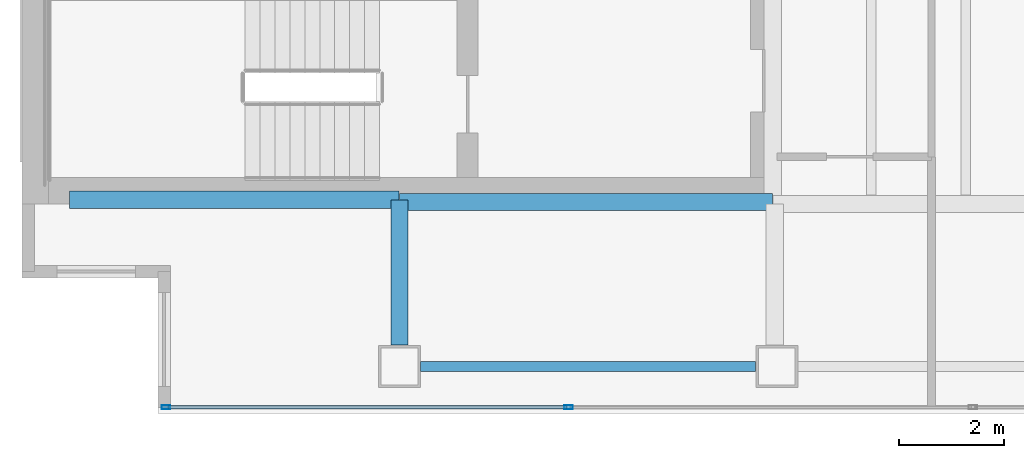
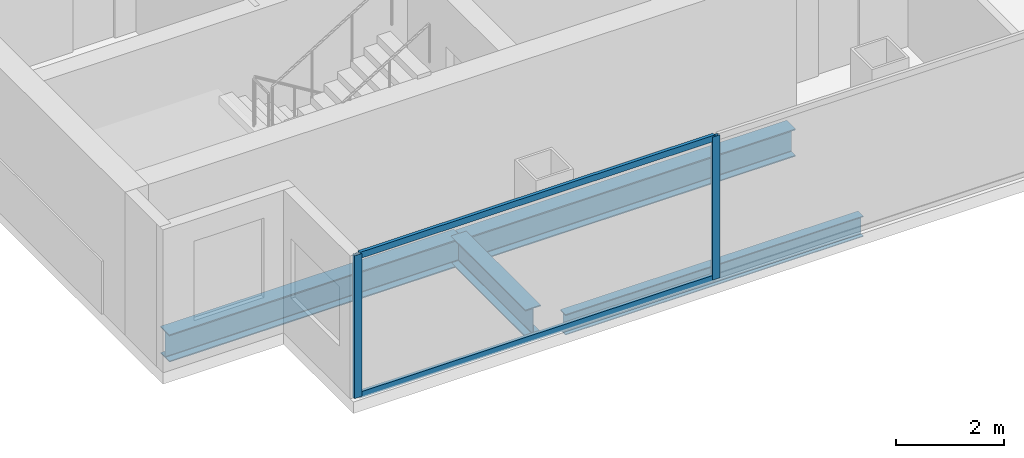
# One storey, part 2 of 23: 4 beams, 4 members, 1 element without a shape of its own.
"""IFC4 building model written with IfcOpenShell, lengths in metres."""

from ifc_helpers import new_model, si_unit, direction, frame, origin, origin_2d, place, context, subcontext, project, spatial, hollow_rectangle, i_section, extrude, material, material_profile, profile_set, type_object, element, aggregate, save


model = new_model("IFC4")

# Units and contexts
model_context = context("Model", 3, precision=1e-05, world=origin(), true_north=direction((0.0, 1.0)))
body_context = subcontext(model_context, "Body", "Model", "MODEL_VIEW")
ifc_project = project(units=[si_unit("LENGTHUNIT", "METRE"), si_unit("AREAUNIT", "SQUARE_METRE"), si_unit("VOLUMEUNIT", "CUBIC_METRE"), si_unit("PLANEANGLEUNIT", "RADIAN"), si_unit("MASSUNIT", "GRAM", prefix="KILO")], contexts=[model_context])

# Site, building, storey
site_placement = place(None, origin())
site = spatial("IfcSite", under=ifc_project, at=site_placement, CompositionType="ELEMENT")
building_placement = place(site_placement, origin())
building = spatial("IfcBuilding", under=site, at=building_placement, Name="Cobrela Telecom Tower", CompositionType="ELEMENT")
storey_placement = place(building_placement, frame((0.0, 0.0, 197.75)))
storey = spatial("IfcBuildingStorey", under=building, at=storey_placement, Name="L50", CompositionType="ELEMENT", Elevation=197.75)

# Beams
ifc_material_1 = material(Name="Steel ASTM A992 Grade 50", Category="steel")
ifc_material_profile_1 = material_profile(ifc_material_1, i_section(OverallWidth=0.327880859375, OverallDepth=0.6220703125, WebThickness=0.015380859375, FlangeThickness=0.0244140625, FilletRadius=0.014892578125, at=origin_2d()), Name="W24X131")
ifc_profile_set_1 = profile_set([ifc_material_profile_1], Name="Steel ASTM A992 Grade 50")
beam_type_1 = type_object("IfcBeamType", Name="BM-GIRD-06", PredefinedType="USERDEFINED", material=ifc_profile_set_1)
beam_1_placement = place(storey_placement, frame((0.905029296875, 7.280029296875, -0.571044921875), z_axis=(1.0, 0.0, 0.0), x_axis=(0.0, 1.0, 0.0)))
element("IfcBeam", 1, at=beam_1_placement, inside=storey, type_object=beam_type_1, Name="L50 Primary Girder X05", ObjectType="GIRDER", PredefinedType="USERDEFINED", context=body_context, shape_type="SweptSolid", body=[
    extrude(i_section(OverallWidth=0.327880859375, OverallDepth=0.6220703125, WebThickness=0.015380859375, FlangeThickness=0.0244140625, FilletRadius=0.014892578125, at=origin_2d()), origin(), (0.0, 0.0, 1.0), 6.2900390625),
])
beam_2_placement = place(storey_placement, frame((7.205078125, 7.239990234375, -0.571044921875), z_axis=(1.0, 0.0, 0.0), x_axis=(0.0, 1.0, 0.0)))
element("IfcBeam", 2, at=beam_2_placement, inside=storey, type_object=beam_type_1, Name="L50 Primary Girder X06", ObjectType="GIRDER", PredefinedType="USERDEFINED", context=body_context, shape_type="SweptSolid", body=[
    extrude(i_section(OverallWidth=0.327880859375, OverallDepth=0.6220703125, WebThickness=0.015380859375, FlangeThickness=0.0244140625, FilletRadius=0.014892578125, at=origin_2d()), origin(), (0.0, 0.0, 1.0), 7.10986328125),
])
beam_3_placement = place(storey_placement, frame((7.199951171875, 4.5048828125, -0.571044921875), z_axis=(0.0, 1.0, 0.0), x_axis=(-1.0, 0.0, 0.0)))
element("IfcBeam", 3, at=beam_3_placement, inside=storey, type_object=beam_type_1, Name="L50 Primary Girder Y24", ObjectType="GIRDER", PredefinedType="USERDEFINED", context=body_context, shape_type="SweptSolid", body=[
    extrude(i_section(OverallWidth=0.327880859375, OverallDepth=0.6220703125, WebThickness=0.015380859375, FlangeThickness=0.0244140625, FilletRadius=0.014892578125, at=origin_2d()), origin(), (0.0, 0.0, 1.0), 2.77001953125),
])
ifc_material_profile_2 = material_profile(ifc_material_1, i_section(OverallWidth=0.193115234375, OverallDepth=0.467041015625, WebThickness=0.011474609375, FlangeThickness=0.01904296875, FilletRadius=0.012939453125, at=origin_2d()), Name="W18X65")
ifc_profile_set_2 = profile_set([ifc_material_profile_2], Name="Steel ASTM A992 Grade 50")
beam_type_2 = type_object("IfcBeamType", Name="BM-SPAND-05", PredefinedType="SPANDREL", material=ifc_profile_set_2)
beam_4_placement = place(storey_placement, frame((7.60498046875, 4.10009765625, -0.493408203125), z_axis=(1.0, 0.0, 0.0), x_axis=(0.0, 1.0, 0.0)))
element("IfcBeam", 4, at=beam_4_placement, inside=storey, type_object=beam_type_2, Name="L50 Perimeter Spandrel X01", PredefinedType="SPANDREL", context=body_context, shape_type="SweptSolid", body=[
    extrude(i_section(OverallWidth=0.193115234375, OverallDepth=0.467041015625, WebThickness=0.011474609375, FlangeThickness=0.01904296875, FilletRadius=0.012939453125, at=origin_2d()), origin(), (0.0, 0.0, 1.0), 6.39013671875),
])

# Curtain wall, members
ifc_material_2 = material(Name="Anodized Bronze Aluminium 6063-T6", Category="aluminium")
curtain_wall_type = type_object("IfcCurtainWallType", Name="CW-SYS-OFF-LO", PredefinedType="USERDEFINED", material=ifc_material_2)
curtain_wall_placement = place(storey_placement, origin())
curtain_wall = element("IfcCurtainWall", 5, at=curtain_wall_placement, inside=storey, type_object=curtain_wall_type, Name="L50 Unitised Bronze Curtain Wall 17", ObjectType="UNITISED CURTAIN WALL", PredefinedType="USERDEFINED")
ifc_material_profile_3 = material_profile(ifc_material_2, hollow_rectangle(XDim=0.070068359375, YDim=0.159912109375, WallThickness=0.00390625, at=origin_2d()), Name="ALU 70x160x4")
ifc_profile_set_3 = profile_set([ifc_material_profile_3], Name="Anodized Bronze Aluminium 6063-T6")
member_type_1 = type_object("IfcMemberType", Name="CW-SYS-OFF-LO-MUL", PredefinedType="MULLION", material=ifc_profile_set_3)
member_1_placement = place(storey_placement, frame((10.426025390625, 3.320068359375, 0.0), z_axis=(0.0, 0.0, 1.0), x_axis=(0.0, -1.0, 0.0)))
member_1 = element("IfcMember", 6, at=member_1_placement, type_object=member_type_1, Name="CW-OFF-LO mullion 5", PredefinedType="MULLION", context=body_context, shape_type="SweptSolid", body=[
    extrude(hollow_rectangle(XDim=0.070068359375, YDim=0.159912109375, WallThickness=0.00390625, at=origin_2d()), origin(), (0.0, 0.0, 1.0), 3.239990234375),
])
member_2_placement = place(storey_placement, frame((2.7451171875, 3.320068359375, 0.0), z_axis=(0.0, 0.0, 1.0), x_axis=(0.0, -1.0, 0.0)))
member_2 = element("IfcMember", 7, at=member_2_placement, type_object=member_type_1, Name="CW-OFF-LO mullion 6", PredefinedType="MULLION", context=body_context, shape_type="SweptSolid", body=[
    extrude(hollow_rectangle(XDim=0.070068359375, YDim=0.159912109375, WallThickness=0.00390625, at=origin_2d()), origin(), (0.0, 0.0, 1.0), 3.239990234375),
])
ifc_material_profile_4 = material_profile(ifc_material_2, hollow_rectangle(XDim=0.070068359375, YDim=0.139892578125, WallThickness=0.00390625, at=origin_2d()), Name="ALU 70x140x4")
ifc_profile_set_4 = profile_set([ifc_material_profile_4], Name="Anodized Bronze Aluminium 6063-T6")
member_type_2 = type_object("IfcMemberType", Name="CW-SYS-OFF-LO-TRN", PredefinedType="USERDEFINED", material=ifc_profile_set_4)
member_3_placement = place(storey_placement, frame((10.39111328125, 3.320068359375, 0.034912109375), z_axis=(-1.0, 0.0, 0.0), x_axis=(0.0, -1.0, 0.0)))
member_3 = element("IfcMember", 8, at=member_3_placement, type_object=member_type_2, Name="CW-OFF-LO transom 5.1", ObjectType="TRANSOM", PredefinedType="USERDEFINED", context=body_context, shape_type="SweptSolid", body=[
    extrude(hollow_rectangle(XDim=0.070068359375, YDim=0.139892578125, WallThickness=0.00390625, at=origin_2d()), origin(), (0.0, 0.0, 1.0), 7.611083984375),
])
member_4_placement = place(storey_placement, frame((10.39111328125, 3.320068359375, 3.205078125), z_axis=(-1.0, 0.0, 0.0), x_axis=(0.0, -1.0, 0.0)))
member_4 = element("IfcMember", 9, at=member_4_placement, type_object=member_type_2, Name="CW-OFF-LO transom 5.2", ObjectType="TRANSOM", PredefinedType="USERDEFINED", context=body_context, shape_type="SweptSolid", body=[
    extrude(hollow_rectangle(XDim=0.070068359375, YDim=0.139892578125, WallThickness=0.00390625, at=origin_2d()), origin(), (0.0, 0.0, 1.0), 7.611083984375),
])
aggregate(curtain_wall, [member_1, member_2, member_3, member_4])

save(model, "model.ifc")
